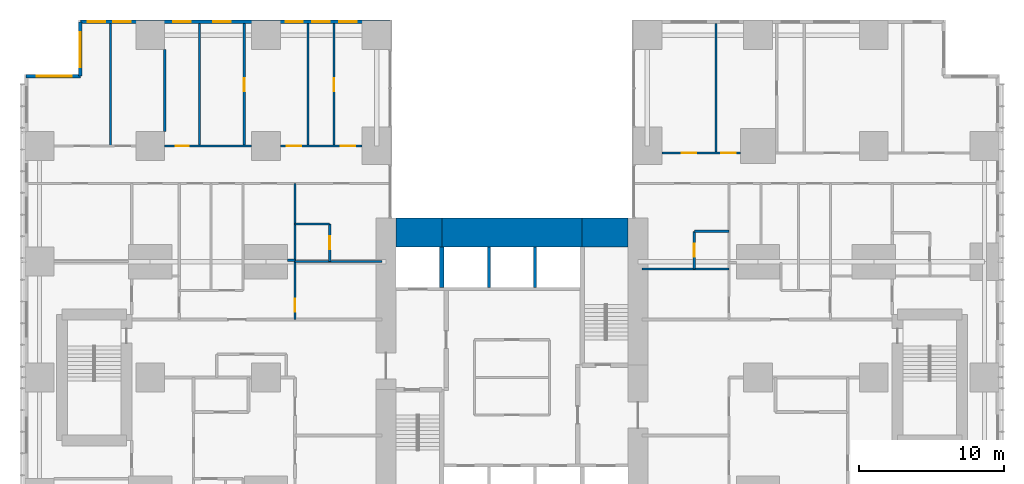
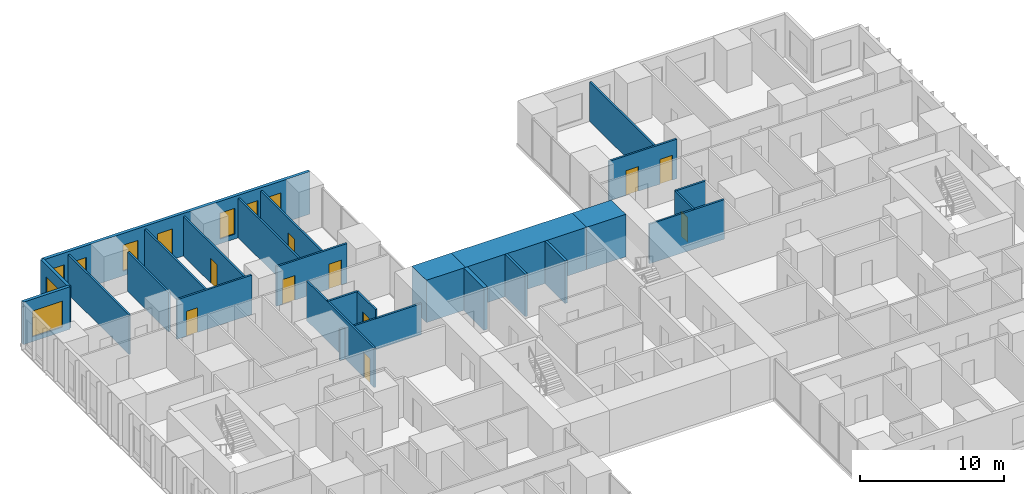
# One storey, part 17 of 20: 27 walls, 10 doors, 9 windows, 19 openings.
"""IFC4 building model written with IfcOpenShell, lengths in metres."""

import ifcopenshell
import ifcopenshell.guid

model = None  # the IFC model being written
_history = None  # IfcOwnerHistory: only IFC2X3 demands one
_inside = {}  # id of a spatial element -> (the spatial element, [elements in it])
_under = {}  # id of a project, library or spatial element -> (it, [spatial elements below it])
_declared = {}  # id of a project -> (the project, [libraries it declares])
_typed = {}  # id of a type object -> (the type object, [elements of that type])
_made_of = {}  # id of a material, layer set ... -> (it, [elements and type objects made of it])


def new_model(schema):
    """Start an empty IFC model of exactly this schema.

    Asked for "IFC4X3", IfcOpenShell would pick the latest addendum, in which some entities
    have other attributes; the version numbers below select the first issue.
    IFC2X3 requires an IfcOwnerHistory on every rooted entity: one is made here for all.
    """
    global model, _history
    if schema == "IFC4X3":
        model = ifcopenshell.file(schema_version=(4, 3, 0, 0))
    else:
        model = ifcopenshell.file(schema=schema)
    _inside.clear()
    _under.clear()
    _declared.clear()
    _typed.clear()
    _made_of.clear()
    _history = None
    if model.schema == "IFC2X3":
        org = make("IfcOrganization", Name="unknown")
        user = make(
            "IfcPersonAndOrganization",
            ThePerson=make("IfcPerson", FamilyName="unknown"),
            TheOrganization=org,
        )
        app = make(
            "IfcApplication",
            ApplicationDeveloper=org,
            Version="unknown",
            ApplicationFullName="unknown",
            ApplicationIdentifier="unknown",
        )
        _history = make(
            "IfcOwnerHistory",
            OwningUser=user,
            OwningApplication=app,
            ChangeAction="ADDED",
            CreationDate=0,
        )
    return model


def make(cls, **values):
    """One entity of the class cls with the attributes given. An attribute that is None is left unset."""
    return model.create_entity(
        cls, **{name: value for name, value in values.items() if value is not None}
    )


def rooted(cls, **values):
    """An entity with a GlobalId (a new one), such as an element, a storey or a relation."""
    return make(cls, GlobalId=ifcopenshell.guid.new(), OwnerHistory=_history, **values)


def si_unit(unit_type, name, prefix=None):
    """IfcSIUnit, for example si_unit("LENGTHUNIT", "METRE", prefix="MILLI")."""
    return make("IfcSIUnit", UnitType=unit_type, Prefix=prefix, Name=name)


def assignment(units):
    """IfcUnitAssignment: the units of a project."""
    return None if units is None else make("IfcUnitAssignment", Units=units)


def point(xyz):
    """IfcCartesianPoint."""
    return None if xyz is None else make("IfcCartesianPoint", Coordinates=xyz)


def direction(xyz):
    """IfcDirection."""
    return None if xyz is None else make("IfcDirection", DirectionRatios=xyz)


def frame(location, z_axis=None, x_axis=None):
    """IfcAxis2Placement3D, a coordinate frame: its origin and axes. An axis left out is left unset."""
    return make(
        "IfcAxis2Placement3D",
        Location=point(location),
        Axis=direction(z_axis),
        RefDirection=direction(x_axis),
    )


def frame_2d(location, x_axis=None):
    """IfcAxis2Placement2D, a coordinate frame in the plane: its origin and x axis."""
    return make(
        "IfcAxis2Placement2D", Location=point(location), RefDirection=direction(x_axis)
    )


def origin():
    """The frame at (0, 0, 0) with its axes left unset."""
    return frame((0.0, 0.0, 0.0))


def place(relative_to, where):
    """IfcLocalPlacement: puts the frame where relative to a parent placement (None: the world)."""
    return make(
        "IfcLocalPlacement", PlacementRelTo=relative_to, RelativePlacement=where
    )


def context(
    kind, dimensions, precision=None, world=None, true_north=None, identifier=None
):
    """IfcGeometricRepresentationContext, for example the 3D "Model" context."""
    return make(
        "IfcGeometricRepresentationContext",
        ContextIdentifier=identifier,
        ContextType=kind,
        CoordinateSpaceDimension=dimensions,
        Precision=precision,
        WorldCoordinateSystem=world,
        TrueNorth=true_north,
    )


def subcontext(parent, identifier, kind, view, scale=None):
    """IfcGeometricRepresentationSubContext, for example "Body" below "Model"."""
    return make(
        "IfcGeometricRepresentationSubContext",
        ContextIdentifier=identifier,
        ContextType=kind,
        ParentContext=parent,
        TargetScale=scale,
        TargetView=view,
    )


def project(units=None, contexts=None):
    """IfcProject with its units and contexts."""
    return rooted(
        "IfcProject",
        Name="project",
        RepresentationContexts=contexts,
        UnitsInContext=assignment(units),
    )


def spatial(cls, under=None, at=None, **own):
    """A site, building, storey or space (cls), placed at a placement, below another one or the project."""
    s = rooted(cls, ObjectPlacement=at, **own)
    if under is not None:
        _under.setdefault(under.id(), (under, []))[1].append(s)
    return s


def profile(cls, at=None, kind="AREA", **sizes):
    """A parametric profile (cls). Its sizes go by their IFC names, for example OverallWidth=200.0."""
    return make(cls, ProfileType=kind, Position=at, **sizes)


def rectangle(**sizes):
    """IfcRectangleProfileDef."""
    return profile("IfcRectangleProfileDef", **sizes)


def extrude(swept, where, along, depth):
    """IfcExtrudedAreaSolid: the profile swept, set in the frame where, extruded along a direction by depth."""
    return make(
        "IfcExtrudedAreaSolid",
        SweptArea=swept,
        Position=where,
        ExtrudedDirection=direction(along),
        Depth=depth,
    )


def shape(context_of_items, identifier, shape_type, items):
    """IfcShapeRepresentation: the items that make up one representation, for example the "Body"."""
    return make(
        "IfcShapeRepresentation",
        ContextOfItems=context_of_items,
        RepresentationIdentifier=identifier,
        RepresentationType=shape_type,
        Items=items,
    )


def material(Name=None, Category=None):
    """IfcMaterial."""
    return make("IfcMaterial", Name=Name, Category=Category)


def layer(
    of_material, thickness, ventilated=None, Name=None, Category=None, Priority=None
):
    """IfcMaterialLayer: one layer of a wall or slab, of a material (None: an air gap)."""
    return make(
        "IfcMaterialLayer",
        Material=of_material,
        LayerThickness=thickness,
        IsVentilated=ventilated,
        Name=Name,
        Category=Category,
        Priority=Priority,
    )


def layer_set(layers, Name=None):
    """IfcMaterialLayerSet."""
    return make("IfcMaterialLayerSet", MaterialLayers=layers, LayerSetName=Name)


def made_of(thing, what):
    """Note that an element or type object is made of a material, layer set ...; save() writes the relation."""
    if what is not None:
        _made_of.setdefault(what.id(), (what, []))[1].append(thing)
    return thing


def type_object(cls, material=None, **own):
    """A type object (cls), such as IfcWallType, which elements share."""
    return made_of(rooted(cls, **own), material)


def element(
    cls,
    number,
    at=None,
    inside=None,
    cuts=None,
    type_object=None,
    material=None,
    context=None,
    identifier="Body",
    shape_type=None,
    held_by="IfcProductDefinitionShape",
    body=None,
    shapes=None,
    **own,
):
    """One element of the class cls, such as IfcWall. Its Tag is "e" and its number.

    at: its placement. inside: the storey or other place that contains it. cuts: it is an
    opening in that element (IfcRelVoidsElement). A single representation is given by context,
    identifier, shape_type and body (its items); several are given by shapes. held_by: the class
    of the entity that holds the representations. save() writes the other relations.
    """
    e = rooted(cls, Tag="e%d" % number, ObjectPlacement=at, **own)
    if body is not None:
        shapes = [shape(context, identifier, shape_type, body)]
    if shapes is not None:
        e.Representation = make(held_by, Representations=shapes)
    if inside is not None:
        _inside.setdefault(inside.id(), (inside, []))[1].append(e)
    if cuts is not None:
        rooted(
            "IfcRelVoidsElement", RelatingBuildingElement=cuts, RelatedOpeningElement=e
        )
    if type_object is not None:
        _typed.setdefault(type_object.id(), (type_object, []))[1].append(e)
    return made_of(e, material)


def fill(opening, filler):
    """IfcRelFillsElement: the door or window that sits in an opening."""
    return rooted(
        "IfcRelFillsElement",
        RelatingOpeningElement=opening,
        RelatedBuildingElement=filler,
    )


def aggregate(whole, parts):
    """IfcRelAggregates: a whole, such as a stair, and the parts it consists of."""
    return rooted("IfcRelAggregates", RelatingObject=whole, RelatedObjects=parts)


def save(model, path):
    """Write the relations noted so far, then the file.

    IfcRelAggregates (storeys below a building ...), IfcRelContainedInSpatialStructure (elements
    in a storey), IfcRelDefinesByType, IfcRelAssociatesMaterial and IfcRelDeclares: one each for
    every whole, place, type object, material and project.
    """
    for whole, parts in _under.values():
        aggregate(whole, parts)
    for where, things in _inside.values():
        rooted(
            "IfcRelContainedInSpatialStructure",
            RelatedElements=things,
            RelatingStructure=where,
        )
    for kind, things in _typed.values():
        rooted("IfcRelDefinesByType", RelatedObjects=things, RelatingType=kind)
    for what, things in _made_of.values():
        rooted("IfcRelAssociatesMaterial", RelatedObjects=things, RelatingMaterial=what)
    for by, libraries in _declared.values():
        rooted("IfcRelDeclares", RelatingContext=by, RelatedDefinitions=libraries)
    model.write(path)


model = new_model("IFC4")

# Units and contexts
model_context = context("Model", 3, precision=1e-05, world=origin(), true_north=direction((0.0, 1.0)))
body_context = subcontext(model_context, "Body", "Model", "MODEL_VIEW")
ifc_project = project(units=[si_unit("LENGTHUNIT", "METRE"), si_unit("AREAUNIT", "SQUARE_METRE"), si_unit("VOLUMEUNIT", "CUBIC_METRE"), si_unit("PLANEANGLEUNIT", "RADIAN"), si_unit("MASSUNIT", "GRAM", prefix="KILO")], contexts=[model_context])

# Site, building, storey
site_placement = place(None, origin())
site = spatial("IfcSite", under=ifc_project, at=site_placement, CompositionType="ELEMENT")
building_placement = place(site_placement, origin())
building = spatial("IfcBuilding", under=site, at=building_placement, Name="Cleftline Residences", CompositionType="ELEMENT")
storey_placement = place(building_placement, frame((0.0, 0.0, 99.800048828125)))
storey = spatial("IfcBuildingStorey", under=building, at=storey_placement, Name="L25", CompositionType="ELEMENT", Elevation=99.800048828125)

# Walls
ifc_material_1 = material(Name="Concrete B70", Category="concrete")
ifc_layer_1 = layer(ifc_material_1, 2.0)
ifc_layer_set_1 = layer_set([ifc_layer_1], Name="CORE WALL 2000")
wall_type_1 = type_object("IfcWallType", Name="CORE WALL 2000", PredefinedType="SHEAR", material=ifc_layer_set_1)
wall_1_placement = place(storey_placement, frame((25.0, 34.0, 0.0), z_axis=(0.0, 0.0, 1.0), x_axis=(1.0, 0.0, 0.0)))
element("IfcWall", 1, at=wall_1_placement, inside=storey, type_object=wall_type_1, Name="Core wall N1", PredefinedType="SHEAR", context=body_context, shape_type="SweptSolid", body=[
    extrude(rectangle(XDim=3.14990234375, YDim=2.0, at=frame_2d((1.574951171875, 0.0))), origin(), (0.0, 0.0, 1.0), 3.599853515625),
])
wall_2_placement = place(storey_placement, frame((28.14990234375, 34.0, 0.0), z_axis=(0.0, 0.0, 1.0), x_axis=(1.0, 0.0, 0.0)))
element("IfcWall", 2, at=wall_2_placement, inside=storey, type_object=wall_type_1, Name="Core wall N2", PredefinedType="SHEAR", context=body_context, shape_type="SweptSolid", body=[
    extrude(rectangle(XDim=9.7001953125, YDim=2.0, at=frame_2d((4.85009765625, 0.0))), origin(), (0.0, 0.0, 1.0), 3.599853515625),
])
wall_3_placement = place(storey_placement, frame((37.85009765625, 34.0, 0.0), z_axis=(0.0, 0.0, 1.0), x_axis=(1.0, 0.0, 0.0)))
element("IfcWall", 3, at=wall_3_placement, inside=storey, type_object=wall_type_1, Name="Core wall N3", PredefinedType="SHEAR", context=body_context, shape_type="SweptSolid", body=[
    extrude(rectangle(XDim=3.14990234375, YDim=2.0, at=frame_2d((1.574951171875, 0.0))), origin(), (0.0, 0.0, 1.0), 3.599853515625),
])
ifc_material_2 = material(Name="Concrete B70", Category="concrete")
ifc_layer_2 = layer(ifc_material_2, 0.300048828125)
ifc_layer_set_2 = layer_set([ifc_layer_2], Name="CORE WALL 300")
wall_type_2 = type_object("IfcWallType", Name="CORE WALL 300", PredefinedType="SHEAR", material=ifc_layer_set_2)
wall_4_placement = place(storey_placement, frame((28.14990234375, 30.199951171875, 0.0), z_axis=(0.0, 0.0, 1.0), x_axis=(0.0, 1.0, 0.0)))
element("IfcWall", 4, at=wall_4_placement, inside=storey, type_object=wall_type_2, Name="Lift shaft wall", PredefinedType="SHEAR", context=body_context, shape_type="SweptSolid", body=[
    extrude(rectangle(XDim=2.800048828125, YDim=0.300048828125, at=frame_2d((1.39990234375, 0.0))), origin(), (0.0, 0.0, 1.0), 3.599853515625),
])

# Wall, openings, windows
ifc_material_3 = material(Name="Rendered reinforced concrete blockwork", Category="masonry")
ifc_layer_3 = layer(ifc_material_3, 0.25)
ifc_layer_set_3 = layer_set([ifc_layer_3], Name="EXTERNAL WALL 250")
wall_type_3 = type_object("IfcWallType", Name="EXTERNAL WALL 250", PredefinedType="SOLIDWALL", material=ifc_layer_set_3)
wall_5_placement = place(storey_placement, frame((24.574951171875, 48.574951171875, 0.0), z_axis=(0.0, 0.0, 1.0), x_axis=(-1.0, 0.0, 0.0)))
wall_5 = element("IfcWall", 5, at=wall_5_placement, inside=storey, type_object=wall_type_3, Name="External wall", PredefinedType="SOLIDWALL", context=body_context, shape_type="SweptSolid", body=[
    extrude(rectangle(XDim=21.39990234375, YDim=0.25, at=frame_2d((10.699951171875, 0.0))), origin(), (0.0, 0.0, 1.0), 3.599853515625),
])
opening_1_placement = place(wall_5_placement, frame((2.300048828125, 0.0, 0.39990234375)))
opening_1 = element("IfcOpeningElement", 6, at=opening_1_placement, cuts=wall_5, Name="Opening W11", PredefinedType="OPENING", context=body_context, shape_type="SweptSolid", body=[
    extrude(rectangle(XDim=1.199951171875, YDim=2.199951171875, at=frame_2d((0.60009765625, 1.10009765625))), frame((0.0, 0.135009765625, 0.0), z_axis=(0.0, -1.0, 0.0), x_axis=(1.0, 0.0, 0.0)), (0.0, 0.0, 1.0), 0.27001953125),
])
opening_2_placement = place(wall_5_placement, frame((4.175048828125, 0.0, 0.39990234375)))
opening_2 = element("IfcOpeningElement", 7, at=opening_2_placement, cuts=wall_5, Name="Opening W11", PredefinedType="OPENING", context=body_context, shape_type="SweptSolid", body=[
    extrude(rectangle(XDim=1.199951171875, YDim=2.199951171875, at=frame_2d((0.60009765625, 1.10009765625))), frame((0.0, 0.135009765625, 0.0), z_axis=(0.0, -1.0, 0.0), x_axis=(1.0, 0.0, 0.0)), (0.0, 0.0, 1.0), 0.27001953125),
])
opening_3_placement = place(wall_5_placement, frame((6.02490234375, 0.0, 0.39990234375)))
opening_3 = element("IfcOpeningElement", 8, at=opening_3_placement, cuts=wall_5, Name="Opening W11", PredefinedType="OPENING", context=body_context, shape_type="SweptSolid", body=[
    extrude(rectangle(XDim=1.199951171875, YDim=2.199951171875, at=frame_2d((0.60009765625, 1.10009765625))), frame((0.0, 0.135009765625, 0.0), z_axis=(0.0, -1.0, 0.0), x_axis=(1.0, 0.0, 0.0)), (0.0, 0.0, 1.0), 0.27001953125),
])
opening_4_placement = place(wall_5_placement, frame((11.02490234375, 0.0, 0.39990234375)))
opening_4 = element("IfcOpeningElement", 9, at=opening_4_placement, cuts=wall_5, Name="Opening W11", PredefinedType="OPENING", context=body_context, shape_type="SweptSolid", body=[
    extrude(rectangle(XDim=1.199951171875, YDim=2.199951171875, at=frame_2d((0.60009765625, 1.10009765625))), frame((0.0, 0.135009765625, 0.0), z_axis=(0.0, -1.0, 0.0), x_axis=(1.0, 0.0, 0.0)), (0.0, 0.0, 1.0), 0.27001953125),
])
opening_5_placement = place(wall_5_placement, frame((13.77490234375, 0.0, 0.39990234375)))
opening_5 = element("IfcOpeningElement", 10, at=opening_5_placement, cuts=wall_5, Name="Opening W11", PredefinedType="OPENING", context=body_context, shape_type="SweptSolid", body=[
    extrude(rectangle(XDim=1.199951171875, YDim=2.199951171875, at=frame_2d((0.60009765625, 1.10009765625))), frame((0.0, 0.135009765625, 0.0), z_axis=(0.0, -1.0, 0.0), x_axis=(1.0, 0.0, 0.0)), (0.0, 0.0, 1.0), 0.27001953125),
])
opening_6_placement = place(wall_5_placement, frame((17.925048828125, 0.0, 0.39990234375)))
opening_6 = element("IfcOpeningElement", 11, at=opening_6_placement, cuts=wall_5, Name="Opening W11", PredefinedType="OPENING", context=body_context, shape_type="SweptSolid", body=[
    extrude(rectangle(XDim=1.199951171875, YDim=2.199951171875, at=frame_2d((0.60009765625, 1.10009765625))), frame((0.0, 0.135009765625, 0.0), z_axis=(0.0, -1.0, 0.0), x_axis=(1.0, 0.0, 0.0)), (0.0, 0.0, 1.0), 0.27001953125),
])
opening_7_placement = place(wall_5_placement, frame((19.699951171875, 0.0, 0.39990234375)))
opening_7 = element("IfcOpeningElement", 12, at=opening_7_placement, cuts=wall_5, Name="Opening W11", PredefinedType="OPENING", context=body_context, shape_type="SweptSolid", body=[
    extrude(rectangle(XDim=1.199951171875, YDim=2.199951171875, at=frame_2d((0.60009765625, 1.10009765625))), frame((0.0, 0.135009765625, 0.0), z_axis=(0.0, -1.0, 0.0), x_axis=(1.0, 0.0, 0.0)), (0.0, 0.0, 1.0), 0.27001953125),
])
ifc_material_4 = material(Name="Aluminium frame, clear double glazing", Category="aluminium")
window_type_1 = type_object("IfcWindowType", Name="WINDOW 1200X2200", PartitioningType="DOUBLE_PANEL_VERTICAL", PredefinedType="WINDOW", material=ifc_material_4)
window_1_placement = place(opening_1_placement, origin())
window_1 = element("IfcWindow", 13, at=window_1_placement, inside=storey, type_object=window_type_1, Name="Window", OverallHeight=2.199951171875, OverallWidth=1.199951171875, PartitioningType="SINGLE_PANEL", PredefinedType="WINDOW", context=body_context, shape_type="SweptSolid", body=[
    extrude(rectangle(XDim=1.199951171875, YDim=2.199951171875, at=frame_2d((0.60009765625, 1.10009765625))), frame((0.0, 0.030029296875, 0.0), z_axis=(0.0, -1.0, 0.0), x_axis=(1.0, 0.0, 0.0)), (0.0, 0.0, 1.0), 0.06005859375),
])
fill(opening_1, window_1)
window_2_placement = place(opening_2_placement, origin())
window_2 = element("IfcWindow", 14, at=window_2_placement, inside=storey, type_object=window_type_1, Name="Window", OverallHeight=2.199951171875, OverallWidth=1.199951171875, PartitioningType="SINGLE_PANEL", PredefinedType="WINDOW", context=body_context, shape_type="SweptSolid", body=[
    extrude(rectangle(XDim=1.199951171875, YDim=2.199951171875, at=frame_2d((0.60009765625, 1.10009765625))), frame((0.0, 0.030029296875, 0.0), z_axis=(0.0, -1.0, 0.0), x_axis=(1.0, 0.0, 0.0)), (0.0, 0.0, 1.0), 0.06005859375),
])
fill(opening_2, window_2)
window_3_placement = place(opening_3_placement, origin())
window_3 = element("IfcWindow", 15, at=window_3_placement, inside=storey, type_object=window_type_1, Name="Window", OverallHeight=2.199951171875, OverallWidth=1.199951171875, PartitioningType="SINGLE_PANEL", PredefinedType="WINDOW", context=body_context, shape_type="SweptSolid", body=[
    extrude(rectangle(XDim=1.199951171875, YDim=2.199951171875, at=frame_2d((0.60009765625, 1.10009765625))), frame((0.0, 0.030029296875, 0.0), z_axis=(0.0, -1.0, 0.0), x_axis=(1.0, 0.0, 0.0)), (0.0, 0.0, 1.0), 0.06005859375),
])
fill(opening_3, window_3)
window_4_placement = place(opening_4_placement, origin())
window_4 = element("IfcWindow", 16, at=window_4_placement, inside=storey, type_object=window_type_1, Name="Window", OverallHeight=2.199951171875, OverallWidth=1.199951171875, PartitioningType="SINGLE_PANEL", PredefinedType="WINDOW", context=body_context, shape_type="SweptSolid", body=[
    extrude(rectangle(XDim=1.199951171875, YDim=2.199951171875, at=frame_2d((0.60009765625, 1.10009765625))), frame((0.0, 0.030029296875, 0.0), z_axis=(0.0, -1.0, 0.0), x_axis=(1.0, 0.0, 0.0)), (0.0, 0.0, 1.0), 0.06005859375),
])
fill(opening_4, window_4)
window_5_placement = place(opening_5_placement, origin())
window_5 = element("IfcWindow", 17, at=window_5_placement, inside=storey, type_object=window_type_1, Name="Window", OverallHeight=2.199951171875, OverallWidth=1.199951171875, PartitioningType="SINGLE_PANEL", PredefinedType="WINDOW", context=body_context, shape_type="SweptSolid", body=[
    extrude(rectangle(XDim=1.199951171875, YDim=2.199951171875, at=frame_2d((0.60009765625, 1.10009765625))), frame((0.0, 0.030029296875, 0.0), z_axis=(0.0, -1.0, 0.0), x_axis=(1.0, 0.0, 0.0)), (0.0, 0.0, 1.0), 0.06005859375),
])
fill(opening_5, window_5)
window_6_placement = place(opening_6_placement, origin())
window_6 = element("IfcWindow", 18, at=window_6_placement, inside=storey, type_object=window_type_1, Name="Window", OverallHeight=2.199951171875, OverallWidth=1.199951171875, PartitioningType="SINGLE_PANEL", PredefinedType="WINDOW", context=body_context, shape_type="SweptSolid", body=[
    extrude(rectangle(XDim=1.199951171875, YDim=2.199951171875, at=frame_2d((0.60009765625, 1.10009765625))), frame((0.0, 0.030029296875, 0.0), z_axis=(0.0, -1.0, 0.0), x_axis=(1.0, 0.0, 0.0)), (0.0, 0.0, 1.0), 0.06005859375),
])
fill(opening_6, window_6)
window_7_placement = place(opening_7_placement, origin())
window_7 = element("IfcWindow", 19, at=window_7_placement, inside=storey, type_object=window_type_1, Name="Window", OverallHeight=2.199951171875, OverallWidth=1.199951171875, PartitioningType="SINGLE_PANEL", PredefinedType="WINDOW", context=body_context, shape_type="SweptSolid", body=[
    extrude(rectangle(XDim=1.199951171875, YDim=2.199951171875, at=frame_2d((0.60009765625, 1.10009765625))), frame((0.0, 0.030029296875, 0.0), z_axis=(0.0, -1.0, 0.0), x_axis=(1.0, 0.0, 0.0)), (0.0, 0.0, 1.0), 0.06005859375),
])
fill(opening_7, window_7)

# Wall, opening, window
wall_6_placement = place(storey_placement, frame((3.175048828125, 48.574951171875, 0.0), z_axis=(0.0, 0.0, 1.0), x_axis=(0.0, -1.0, 0.0)))
wall_6 = element("IfcWall", 20, at=wall_6_placement, inside=storey, type_object=wall_type_3, Name="External wall", PredefinedType="SOLIDWALL", context=body_context, shape_type="SweptSolid", body=[
    extrude(rectangle(XDim=3.75, YDim=0.25, at=frame_2d((1.875, 0.0))), origin(), (0.0, 0.0, 1.0), 3.599853515625),
])
opening_8_placement = place(wall_6_placement, frame((0.737548828125, 0.0, 0.39990234375)))
opening_8 = element("IfcOpeningElement", 21, at=opening_8_placement, cuts=wall_6, Name="Opening W12", PredefinedType="OPENING", context=body_context, shape_type="SweptSolid", body=[
    extrude(rectangle(XDim=2.39990234375, YDim=2.199951171875, at=frame_2d((1.199951171875, 1.10009765625))), frame((0.0, 0.135009765625, 0.0), z_axis=(0.0, -1.0, 0.0), x_axis=(1.0, 0.0, 0.0)), (0.0, 0.0, 1.0), 0.27001953125),
])
ifc_material_5 = material(Name="Aluminium frame, clear double glazing", Category="aluminium")
window_type_2 = type_object("IfcWindowType", Name="WINDOW 2400X2200", PartitioningType="DOUBLE_PANEL_VERTICAL", PredefinedType="WINDOW", material=ifc_material_5)
window_8_placement = place(opening_8_placement, origin())
window_8 = element("IfcWindow", 22, at=window_8_placement, inside=storey, type_object=window_type_2, Name="Window", OverallHeight=2.199951171875, OverallWidth=2.39990234375, PartitioningType="SINGLE_PANEL", PredefinedType="WINDOW", context=body_context, shape_type="SweptSolid", body=[
    extrude(rectangle(XDim=2.39990234375, YDim=2.199951171875, at=frame_2d((1.199951171875, 1.10009765625))), frame((0.0, 0.030029296875, 0.0), z_axis=(0.0, -1.0, 0.0), x_axis=(1.0, 0.0, 0.0)), (0.0, 0.0, 1.0), 0.06005859375),
])
fill(opening_8, window_8)

wall_7_placement = place(storey_placement, frame((3.175048828125, 44.824951171875, 0.0), z_axis=(0.0, 0.0, 1.0), x_axis=(-1.0, 0.0, 0.0)))
wall_7 = element("IfcWall", 23, at=wall_7_placement, inside=storey, type_object=wall_type_3, Name="External wall", PredefinedType="SOLIDWALL", context=body_context, shape_type="SweptSolid", body=[
    extrude(rectangle(XDim=3.75, YDim=0.25, at=frame_2d((1.875, 0.0))), origin(), (0.0, 0.0, 1.0), 3.599853515625),
])
opening_9_placement = place(wall_7_placement, frame((0.612548828125, 0.0, 0.39990234375)))
opening_9 = element("IfcOpeningElement", 24, at=opening_9_placement, cuts=wall_7, Name="Opening W12", PredefinedType="OPENING", context=body_context, shape_type="SweptSolid", body=[
    extrude(rectangle(XDim=2.39990234375, YDim=2.199951171875, at=frame_2d((1.199951171875, 1.10009765625))), frame((0.0, 0.135009765625, 0.0), z_axis=(0.0, -1.0, 0.0), x_axis=(1.0, 0.0, 0.0)), (0.0, 0.0, 1.0), 0.27001953125),
])
window_9_placement = place(opening_9_placement, origin())
window_9 = element("IfcWindow", 25, at=window_9_placement, inside=storey, type_object=window_type_2, Name="Window", OverallHeight=2.199951171875, OverallWidth=2.39990234375, PartitioningType="SINGLE_PANEL", PredefinedType="WINDOW", context=body_context, shape_type="SweptSolid", body=[
    extrude(rectangle(XDim=2.39990234375, YDim=2.199951171875, at=frame_2d((1.199951171875, 1.10009765625))), frame((0.0, 0.030029296875, 0.0), z_axis=(0.0, -1.0, 0.0), x_axis=(1.0, 0.0, 0.0)), (0.0, 0.0, 1.0), 0.06005859375),
])
fill(opening_9, window_9)

# Walls
ifc_material_6 = material(Name="Gypsum board on steel studs", Category="steel")
ifc_layer_4 = layer(ifc_material_6, 0.14990234375)
ifc_layer_set_4 = layer_set([ifc_layer_4], Name="PARTITION 150")
wall_type_4 = type_object("IfcWallType", Name="PARTITION 150", PredefinedType="PARTITIONING", material=ifc_layer_set_4)
wall_8_placement = place(storey_placement, frame((42.0, 31.5, 0.0), z_axis=(0.0, 0.0, 1.0), x_axis=(1.0, 0.0, 0.0)))
element("IfcWall", 26, at=wall_8_placement, inside=storey, type_object=wall_type_4, Name="Partition", PredefinedType="PARTITIONING", context=body_context, shape_type="SweptSolid", body=[
    extrude(rectangle(XDim=6.0, YDim=0.14990234375, at=frame_2d((3.0, 0.0))), origin(), (0.0, 0.0, 1.0), 3.349853515625),
])
wall_9_placement = place(storey_placement, frame((18.0, 32.0, 0.0), z_axis=(0.0, 0.0, 1.0), x_axis=(1.0, 0.0, 0.0)))
element("IfcWall", 27, at=wall_9_placement, inside=storey, type_object=wall_type_4, Name="Partition", PredefinedType="PARTITIONING", context=body_context, shape_type="SweptSolid", body=[
    extrude(rectangle(XDim=6.0, YDim=0.14990234375, at=frame_2d((3.0, 0.0))), origin(), (0.0, 0.0, 1.0), 2.634033203125),
])
wall_10_placement = place(storey_placement, frame((17.5, 32.10009765625, 0.0), z_axis=(0.0, 0.0, 1.0), x_axis=(1.0, 0.0, 0.0)))
element("IfcWall", 28, at=wall_10_placement, inside=storey, type_object=wall_type_4, Name="Partition", PredefinedType="PARTITIONING", context=body_context, shape_type="SweptSolid", body=[
    extrude(rectangle(XDim=0.5, YDim=0.14990234375, at=frame_2d((0.25, 0.0))), origin(), (0.0, 0.0, 1.0), 2.634033203125),
])
for number, where, z_axis, x_axis, name in (
    (29, (45.60009765625, 34.10009765625, 0.0), (0.0, 0.0, 1.0), (1.0, 0.0, 0.0), "Partition"),
    (30, (18.0, 34.60009765625, 0.0), (0.0, 0.0, 1.0), (1.0, 0.0, 0.0), "Partition"),
):
    element("IfcWall", number, at=place(storey_placement, frame(where, z_axis=z_axis, x_axis=x_axis)), inside=storey, type_object=wall_type_4, Name=name, PredefinedType="PARTITIONING", context=body_context, shape_type="SweptSolid", body=[
        extrude(rectangle(XDim=2.39990234375, YDim=0.14990234375, at=frame_2d((1.199951171875, 0.0))), origin(), (0.0, 0.0, 1.0), 3.349853515625),
    ])

# Wall, openings, doors
wall_11_placement = place(storey_placement, frame((43.35009765625, 39.5, 0.0), z_axis=(0.0, 0.0, 1.0), x_axis=(1.0, 0.0, 0.0)))
wall_11 = element("IfcWall", 31, at=wall_11_placement, inside=storey, type_object=wall_type_4, Name="Partition", PredefinedType="PARTITIONING", context=body_context, shape_type="SweptSolid", body=[
    extrude(rectangle(XDim=5.449951171875, YDim=0.14990234375, at=frame_2d((2.72509765625, 0.0))), origin(), (0.0, 0.0, 1.0), 3.349853515625),
])
opening_10_placement = place(wall_11_placement, frame((4.10009765625, 0.0, 0.0)))
opening_10 = element("IfcOpeningElement", 32, at=opening_10_placement, cuts=wall_11, Name="Opening D2", PredefinedType="OPENING", context=body_context, shape_type="SweptSolid", body=[
    extrude(rectangle(XDim=1.0, YDim=2.10009765625, at=frame_2d((0.5, 1.050048828125))), frame((0.0, 0.0849609375, 0.0), z_axis=(0.0, -1.0, 0.0), x_axis=(1.0, 0.0, 0.0)), (0.0, 0.0, 1.0), 0.169921875),
])
opening_11_placement = place(wall_11_placement, frame((1.375, 0.0, 0.0)))
opening_11 = element("IfcOpeningElement", 33, at=opening_11_placement, cuts=wall_11, Name="Opening D2", PredefinedType="OPENING", context=body_context, shape_type="SweptSolid", body=[
    extrude(rectangle(XDim=1.0, YDim=2.10009765625, at=frame_2d((0.5, 1.050048828125))), frame((0.0, 0.0849609375, 0.0), z_axis=(0.0, -1.0, 0.0), x_axis=(1.0, 0.0, 0.0)), (0.0, 0.0, 1.0), 0.169921875),
])
ifc_material_7 = material(Name="Timber veneer on solid core", Category="wood")
door_type_1 = type_object("IfcDoorType", Name="DOOR 1000X2100", OperationType="SINGLE_SWING_LEFT", PredefinedType="DOOR", material=ifc_material_7)
door_1_placement = place(opening_10_placement, origin())
door_1 = element("IfcDoor", 34, at=door_1_placement, inside=storey, type_object=door_type_1, Name="Door to bedroom 2", OperationType="SINGLE_SWING_LEFT", OverallHeight=2.10009765625, OverallWidth=1.0, PredefinedType="DOOR", context=body_context, shape_type="SweptSolid", body=[
    extrude(rectangle(XDim=1.0, YDim=2.10009765625, at=frame_2d((0.5, 1.050048828125))), frame((0.0, 0.02490234375, 0.0), z_axis=(0.0, -1.0, 0.0), x_axis=(1.0, 0.0, 0.0)), (0.0, 0.0, 1.0), 0.050048828125),
])
fill(opening_10, door_1)
door_2_placement = place(opening_11_placement, origin())
door_2 = element("IfcDoor", 35, at=door_2_placement, inside=storey, type_object=door_type_1, Name="Door to bedroom 2 sitting room", OperationType="SINGLE_SWING_RIGHT", OverallHeight=2.10009765625, OverallWidth=1.0, PredefinedType="DOOR", context=body_context, shape_type="SweptSolid", body=[
    extrude(rectangle(XDim=1.0, YDim=2.10009765625, at=frame_2d((0.5, 1.050048828125))), frame((0.0, 0.02490234375, 0.0), z_axis=(0.0, -1.0, 0.0), x_axis=(1.0, 0.0, 0.0)), (0.0, 0.0, 1.0), 0.050048828125),
])
fill(opening_11, door_2)

# Wall, opening, door
wall_12_placement = place(storey_placement, frame((9.0, 40.0, 0.0), z_axis=(0.0, 0.0, 1.0), x_axis=(1.0, 0.0, 0.0)))
wall_12 = element("IfcWall", 36, at=wall_12_placement, inside=storey, type_object=wall_type_4, Name="Partition", PredefinedType="PARTITIONING", context=body_context, shape_type="SweptSolid", body=[
    extrude(rectangle(XDim=6.0, YDim=0.14990234375, at=frame_2d((3.0, 0.0))), origin(), (0.0, 0.0, 1.0), 3.349853515625),
])
opening_12_placement = place(wall_12_placement, frame((0.75, 0.0, 0.0)))
opening_12 = element("IfcOpeningElement", 37, at=opening_12_placement, cuts=wall_12, Name="Opening D1", PredefinedType="OPENING", context=body_context, shape_type="SweptSolid", body=[
    extrude(rectangle(XDim=0.89990234375, YDim=2.10009765625, at=frame_2d((0.449951171875, 1.050048828125))), frame((0.0, 0.0849609375, 0.0), z_axis=(0.0, -1.0, 0.0), x_axis=(1.0, 0.0, 0.0)), (0.0, 0.0, 1.0), 0.169921875),
])
ifc_material_8 = material(Name="Timber veneer on solid core", Category="wood")
door_type_2 = type_object("IfcDoorType", Name="DOOR 900X2100", OperationType="SINGLE_SWING_LEFT", PredefinedType="DOOR", material=ifc_material_8)
door_3_placement = place(opening_12_placement, origin())
door_3 = element("IfcDoor", 38, at=door_3_placement, inside=storey, type_object=door_type_2, Name="Door to master dressing room", OperationType="SINGLE_SWING_RIGHT", OverallHeight=2.10009765625, OverallWidth=0.89990234375, PredefinedType="DOOR", context=body_context, shape_type="SweptSolid", body=[
    extrude(rectangle(XDim=0.89990234375, YDim=2.10009765625, at=frame_2d((0.449951171875, 1.050048828125))), frame((0.0, 0.02490234375, 0.0), z_axis=(0.0, -1.0, 0.0), x_axis=(1.0, 0.0, 0.0)), (0.0, 0.0, 1.0), 0.050048828125),
])
fill(opening_12, door_3)

# Wall, openings, doors
wall_13_placement = place(storey_placement, frame((17.0, 40.0, 0.0), z_axis=(0.0, 0.0, 1.0), x_axis=(1.0, 0.0, 0.0)))
wall_13 = element("IfcWall", 39, at=wall_13_placement, inside=storey, type_object=wall_type_4, Name="Partition", PredefinedType="PARTITIONING", context=body_context, shape_type="SweptSolid", body=[
    extrude(rectangle(XDim=5.64990234375, YDim=0.14990234375, at=frame_2d((2.824951171875, 0.0))), origin(), (0.0, 0.0, 1.0), 3.349853515625),
])
opening_13_placement = place(wall_13_placement, frame((0.449951171875, 0.0, 0.0)))
opening_13 = element("IfcOpeningElement", 40, at=opening_13_placement, cuts=wall_13, Name="Opening D2", PredefinedType="OPENING", context=body_context, shape_type="SweptSolid", body=[
    extrude(rectangle(XDim=1.0, YDim=2.10009765625, at=frame_2d((0.5, 1.050048828125))), frame((0.0, 0.0849609375, 0.0), z_axis=(0.0, -1.0, 0.0), x_axis=(1.0, 0.0, 0.0)), (0.0, 0.0, 1.0), 0.169921875),
])
opening_14_placement = place(wall_13_placement, frame((4.175048828125, 0.0, 0.0)))
opening_14 = element("IfcOpeningElement", 41, at=opening_14_placement, cuts=wall_13, Name="Opening D2", PredefinedType="OPENING", context=body_context, shape_type="SweptSolid", body=[
    extrude(rectangle(XDim=1.0, YDim=2.10009765625, at=frame_2d((0.5, 1.050048828125))), frame((0.0, 0.0849609375, 0.0), z_axis=(0.0, -1.0, 0.0), x_axis=(1.0, 0.0, 0.0)), (0.0, 0.0, 1.0), 0.169921875),
])
door_4_placement = place(opening_13_placement, origin())
door_4 = element("IfcDoor", 42, at=door_4_placement, inside=storey, type_object=door_type_1, Name="Door to bedroom 2", OperationType="SINGLE_SWING_RIGHT", OverallHeight=2.10009765625, OverallWidth=1.0, PredefinedType="DOOR", context=body_context, shape_type="SweptSolid", body=[
    extrude(rectangle(XDim=1.0, YDim=2.10009765625, at=frame_2d((0.5, 1.050048828125))), frame((0.0, 0.02490234375, 0.0), z_axis=(0.0, -1.0, 0.0), x_axis=(1.0, 0.0, 0.0)), (0.0, 0.0, 1.0), 0.050048828125),
])
fill(opening_13, door_4)
door_5_placement = place(opening_14_placement, origin())
door_5 = element("IfcDoor", 43, at=door_5_placement, inside=storey, type_object=door_type_1, Name="Door to bedroom 3", OperationType="SINGLE_SWING_LEFT", OverallHeight=2.10009765625, OverallWidth=1.0, PredefinedType="DOOR", context=body_context, shape_type="SweptSolid", body=[
    extrude(rectangle(XDim=1.0, YDim=2.10009765625, at=frame_2d((0.5, 1.050048828125))), frame((0.0, 0.02490234375, 0.0), z_axis=(0.0, -1.0, 0.0), x_axis=(1.0, 0.0, 0.0)), (0.0, 0.0, 1.0), 0.050048828125),
])
fill(opening_14, door_5)

# Walls
wall_14_placement = place(storey_placement, frame((5.25, 40.0, 0.0), z_axis=(0.0, 0.0, 1.0), x_axis=(0.0, 1.0, 0.0)))
element("IfcWall", 44, at=wall_14_placement, inside=storey, type_object=wall_type_4, Name="Partition", PredefinedType="PARTITIONING", context=body_context, shape_type="SweptSolid", body=[
    extrude(rectangle(XDim=8.449951171875, YDim=0.14990234375, at=frame_2d((4.22509765625, 0.0))), origin(), (0.0, 0.0, 1.0), 3.349853515625),
])
wall_15_placement = place(storey_placement, frame((9.0, 41.0, 0.0), z_axis=(0.0, 0.0, 1.0), x_axis=(0.0, 1.0, 0.0)))
element("IfcWall", 45, at=wall_15_placement, inside=storey, type_object=wall_type_4, Name="Partition", PredefinedType="PARTITIONING", context=body_context, shape_type="SweptSolid", body=[
    extrude(rectangle(XDim=5.64990234375, YDim=0.14990234375, at=frame_2d((2.824951171875, 0.0))), origin(), (0.0, 0.0, 1.0), 3.349853515625),
])
wall_16_placement = place(storey_placement, frame((11.39990234375, 40.0, 0.0), z_axis=(0.0, 0.0, 1.0), x_axis=(0.0, 1.0, 0.0)))
element("IfcWall", 46, at=wall_16_placement, inside=storey, type_object=wall_type_4, Name="Partition", PredefinedType="PARTITIONING", context=body_context, shape_type="SweptSolid", body=[
    extrude(rectangle(XDim=8.449951171875, YDim=0.14990234375, at=frame_2d((4.22509765625, 0.0))), origin(), (0.0, 0.0, 1.0), 3.349853515625),
])

# Wall, opening, door
wall_17_placement = place(storey_placement, frame((14.5, 40.0, 0.0), z_axis=(0.0, 0.0, 1.0), x_axis=(0.0, 1.0, 0.0)))
wall_17 = element("IfcWall", 47, at=wall_17_placement, inside=storey, type_object=wall_type_4, Name="Partition", PredefinedType="PARTITIONING", context=body_context, shape_type="SweptSolid", body=[
    extrude(rectangle(XDim=8.449951171875, YDim=0.14990234375, at=frame_2d((4.22509765625, 0.0))), origin(), (0.0, 0.0, 1.0), 3.349853515625),
])
opening_15_placement = place(wall_17_placement, frame((3.77490234375, 0.0, 0.0)))
opening_15 = element("IfcOpeningElement", 48, at=opening_15_placement, cuts=wall_17, Name="Opening D1", PredefinedType="OPENING", context=body_context, shape_type="SweptSolid", body=[
    extrude(rectangle(XDim=0.89990234375, YDim=2.10009765625, at=frame_2d((0.449951171875, 1.050048828125))), frame((0.0, 0.0849609375, 0.0), z_axis=(0.0, -1.0, 0.0), x_axis=(1.0, 0.0, 0.0)), (0.0, 0.0, 1.0), 0.169921875),
])
door_6_placement = place(opening_15_placement, origin())
door_6 = element("IfcDoor", 49, at=door_6_placement, inside=storey, type_object=door_type_2, Name="Door to en-suite bathroom 2", OperationType="SINGLE_SWING_LEFT", OverallHeight=2.10009765625, OverallWidth=0.89990234375, PredefinedType="DOOR", context=body_context, shape_type="SweptSolid", body=[
    extrude(rectangle(XDim=0.89990234375, YDim=2.10009765625, at=frame_2d((0.449951171875, 1.050048828125))), frame((0.0, 0.02490234375, 0.0), z_axis=(0.0, -1.0, 0.0), x_axis=(1.0, 0.0, 0.0)), (0.0, 0.0, 1.0), 0.050048828125),
])
fill(opening_15, door_6)

wall_18_placement = place(storey_placement, frame((18.0, 28.0, 0.0), z_axis=(0.0, 0.0, 1.0), x_axis=(0.0, 1.0, 0.0)))
wall_18 = element("IfcWall", 50, at=wall_18_placement, inside=storey, type_object=wall_type_4, Name="Partition", PredefinedType="PARTITIONING", context=body_context, shape_type="SweptSolid", body=[
    extrude(rectangle(XDim=9.39990234375, YDim=0.14990234375, at=frame_2d((4.699951171875, 0.0))), origin(), (0.0, 0.0, 1.0), 3.349853515625),
])
opening_16_placement = place(wall_18_placement, frame((0.550048828125, 0.0, 0.0)))
opening_16 = element("IfcOpeningElement", 51, at=opening_16_placement, cuts=wall_18, Name="Opening D1", PredefinedType="OPENING", context=body_context, shape_type="SweptSolid", body=[
    extrude(rectangle(XDim=0.89990234375, YDim=2.10009765625, at=frame_2d((0.449951171875, 1.050048828125))), frame((0.0, 0.0849609375, 0.0), z_axis=(0.0, -1.0, 0.0), x_axis=(1.0, 0.0, 0.0)), (0.0, 0.0, 1.0), 0.169921875),
])
door_7_placement = place(opening_16_placement, origin())
door_7 = element("IfcDoor", 52, at=door_7_placement, inside=storey, type_object=door_type_2, Name="Door to staff shower room", OperationType="SINGLE_SWING_RIGHT", OverallHeight=2.10009765625, OverallWidth=0.89990234375, PredefinedType="DOOR", context=body_context, shape_type="SweptSolid", body=[
    extrude(rectangle(XDim=0.89990234375, YDim=2.10009765625, at=frame_2d((0.449951171875, 1.050048828125))), frame((0.0, 0.02490234375, 0.0), z_axis=(0.0, -1.0, 0.0), x_axis=(1.0, 0.0, 0.0)), (0.0, 0.0, 1.0), 0.050048828125),
])
fill(opening_16, door_7)

# Wall
wall_19_placement = place(storey_placement, frame((18.89990234375, 40.0, 0.0), z_axis=(0.0, 0.0, 1.0), x_axis=(0.0, 1.0, 0.0)))
element("IfcWall", 53, at=wall_19_placement, inside=storey, type_object=wall_type_4, Name="Partition", PredefinedType="PARTITIONING", context=body_context, shape_type="SweptSolid", body=[
    extrude(rectangle(XDim=8.449951171875, YDim=0.14990234375, at=frame_2d((4.22509765625, 0.0))), origin(), (0.0, 0.0, 1.0), 3.349853515625),
])

# Wall, opening, door
wall_20_placement = place(storey_placement, frame((20.39990234375, 32.0, 0.0), z_axis=(0.0, 0.0, 1.0), x_axis=(0.0, 1.0, 0.0)))
wall_20 = element("IfcWall", 54, at=wall_20_placement, inside=storey, type_object=wall_type_4, Name="Partition", PredefinedType="PARTITIONING", context=body_context, shape_type="SweptSolid", body=[
    extrude(rectangle(XDim=2.60009765625, YDim=0.14990234375, at=frame_2d((1.300048828125, 0.0))), origin(), (0.0, 0.0, 1.0), 3.349853515625),
])
opening_17_placement = place(wall_20_placement, frame((0.85009765625, 0.0, 0.0)))
opening_17 = element("IfcOpeningElement", 55, at=opening_17_placement, cuts=wall_20, Name="Opening D1", PredefinedType="OPENING", context=body_context, shape_type="SweptSolid", body=[
    extrude(rectangle(XDim=0.89990234375, YDim=2.10009765625, at=frame_2d((0.449951171875, 1.050048828125))), frame((0.0, 0.0849609375, 0.0), z_axis=(0.0, -1.0, 0.0), x_axis=(1.0, 0.0, 0.0)), (0.0, 0.0, 1.0), 0.169921875),
])
door_8_placement = place(opening_17_placement, origin())
door_8 = element("IfcDoor", 56, at=door_8_placement, inside=storey, type_object=door_type_2, Name="Door to en-suite bathroom 4", OperationType="SINGLE_SWING_LEFT", OverallHeight=2.10009765625, OverallWidth=0.89990234375, PredefinedType="DOOR", context=body_context, shape_type="SweptSolid", body=[
    extrude(rectangle(XDim=0.89990234375, YDim=2.10009765625, at=frame_2d((0.449951171875, 1.050048828125))), frame((0.0, 0.02490234375, 0.0), z_axis=(0.0, -1.0, 0.0), x_axis=(1.0, 0.0, 0.0)), (0.0, 0.0, 1.0), 0.050048828125),
])
fill(opening_17, door_8)

wall_21_placement = place(storey_placement, frame((20.699951171875, 40.0, 0.0), z_axis=(0.0, 0.0, 1.0), x_axis=(0.0, 1.0, 0.0)))
wall_21 = element("IfcWall", 57, at=wall_21_placement, inside=storey, type_object=wall_type_4, Name="Partition", PredefinedType="PARTITIONING", context=body_context, shape_type="SweptSolid", body=[
    extrude(rectangle(XDim=8.449951171875, YDim=0.14990234375, at=frame_2d((4.22509765625, 0.0))), origin(), (0.0, 0.0, 1.0), 3.349853515625),
])
opening_18_placement = place(wall_21_placement, frame((3.77490234375, 0.0, 0.0)))
opening_18 = element("IfcOpeningElement", 58, at=opening_18_placement, cuts=wall_21, Name="Opening D1", PredefinedType="OPENING", context=body_context, shape_type="SweptSolid", body=[
    extrude(rectangle(XDim=0.89990234375, YDim=2.10009765625, at=frame_2d((0.449951171875, 1.050048828125))), frame((0.0, 0.0849609375, 0.0), z_axis=(0.0, -1.0, 0.0), x_axis=(1.0, 0.0, 0.0)), (0.0, 0.0, 1.0), 0.169921875),
])
door_9_placement = place(opening_18_placement, origin())
door_9 = element("IfcDoor", 59, at=door_9_placement, inside=storey, type_object=door_type_2, Name="Door to en-suite bathroom 3", OperationType="SINGLE_SWING_LEFT", OverallHeight=2.10009765625, OverallWidth=0.89990234375, PredefinedType="DOOR", context=body_context, shape_type="SweptSolid", body=[
    extrude(rectangle(XDim=0.89990234375, YDim=2.10009765625, at=frame_2d((0.449951171875, 1.050048828125))), frame((0.0, 0.02490234375, 0.0), z_axis=(0.0, -1.0, 0.0), x_axis=(1.0, 0.0, 0.0)), (0.0, 0.0, 1.0), 0.050048828125),
])
fill(opening_18, door_9)

wall_22_placement = place(storey_placement, frame((45.60009765625, 31.5, 0.0), z_axis=(0.0, 0.0, 1.0), x_axis=(0.0, 1.0, 0.0)))
wall_22 = element("IfcWall", 60, at=wall_22_placement, inside=storey, type_object=wall_type_4, Name="Partition", PredefinedType="PARTITIONING", context=body_context, shape_type="SweptSolid", body=[
    extrude(rectangle(XDim=2.60009765625, YDim=0.14990234375, at=frame_2d((1.300048828125, 0.0))), origin(), (0.0, 0.0, 1.0), 3.349853515625),
])
opening_19_placement = place(wall_22_placement, frame((0.85009765625, 0.0, 0.0)))
opening_19 = element("IfcOpeningElement", 61, at=opening_19_placement, cuts=wall_22, Name="Opening D1", PredefinedType="OPENING", context=body_context, shape_type="SweptSolid", body=[
    extrude(rectangle(XDim=0.89990234375, YDim=2.10009765625, at=frame_2d((0.449951171875, 1.050048828125))), frame((0.0, 0.0849609375, 0.0), z_axis=(0.0, -1.0, 0.0), x_axis=(1.0, 0.0, 0.0)), (0.0, 0.0, 1.0), 0.169921875),
])
door_10_placement = place(opening_19_placement, origin())
door_10 = element("IfcDoor", 62, at=door_10_placement, inside=storey, type_object=door_type_2, Name="Door to en-suite bathroom 3", OperationType="SINGLE_SWING_LEFT", OverallHeight=2.10009765625, OverallWidth=0.89990234375, PredefinedType="DOOR", context=body_context, shape_type="SweptSolid", body=[
    extrude(rectangle(XDim=0.89990234375, YDim=2.10009765625, at=frame_2d((0.449951171875, 1.050048828125))), frame((0.0, 0.02490234375, 0.0), z_axis=(0.0, -1.0, 0.0), x_axis=(1.0, 0.0, 0.0)), (0.0, 0.0, 1.0), 0.050048828125),
])
fill(opening_19, door_10)

# Walls
wall_23_placement = place(storey_placement, frame((47.10009765625, 39.5, 0.0), z_axis=(0.0, 0.0, 1.0), x_axis=(0.0, 1.0, 0.0)))
element("IfcWall", 63, at=wall_23_placement, inside=storey, type_object=wall_type_4, Name="Partition", PredefinedType="PARTITIONING", context=body_context, shape_type="SweptSolid", body=[
    extrude(rectangle(XDim=8.949951171875, YDim=0.14990234375, at=frame_2d((4.47509765625, 0.0))), origin(), (0.0, 0.0, 1.0), 3.349853515625),
])
ifc_material_9 = material(Name="Concrete blockwork, fire rated", Category="masonry")
ifc_layer_5 = layer(ifc_material_9, 0.199951171875)
ifc_layer_set_5 = layer_set([ifc_layer_5], Name="SHAFT WALL 200")
wall_type_5 = type_object("IfcWallType", Name="SHAFT WALL 200", PredefinedType="PARTITIONING", material=ifc_layer_set_5)
for number, where, z_axis, x_axis, name in (
    (64, (31.39990234375, 30.199951171875, 0.0), (0.0, 0.0, 1.0), (0.0, 1.0, 0.0), "Lift shaft wall"),
    (65, (34.60009765625, 30.199951171875, 0.0), (0.0, 0.0, 1.0), (0.0, 1.0, 0.0), "Lift shaft wall"),
):
    element("IfcWall", number, at=place(storey_placement, frame(where, z_axis=z_axis, x_axis=x_axis)), inside=storey, type_object=wall_type_5, Name=name, PredefinedType="PARTITIONING", context=body_context, shape_type="SweptSolid", body=[
        extrude(rectangle(XDim=2.800048828125, YDim=0.199951171875, at=frame_2d((1.39990234375, 0.0))), origin(), (0.0, 0.0, 1.0), 3.599853515625),
    ])

save(model, "model.ifc")
